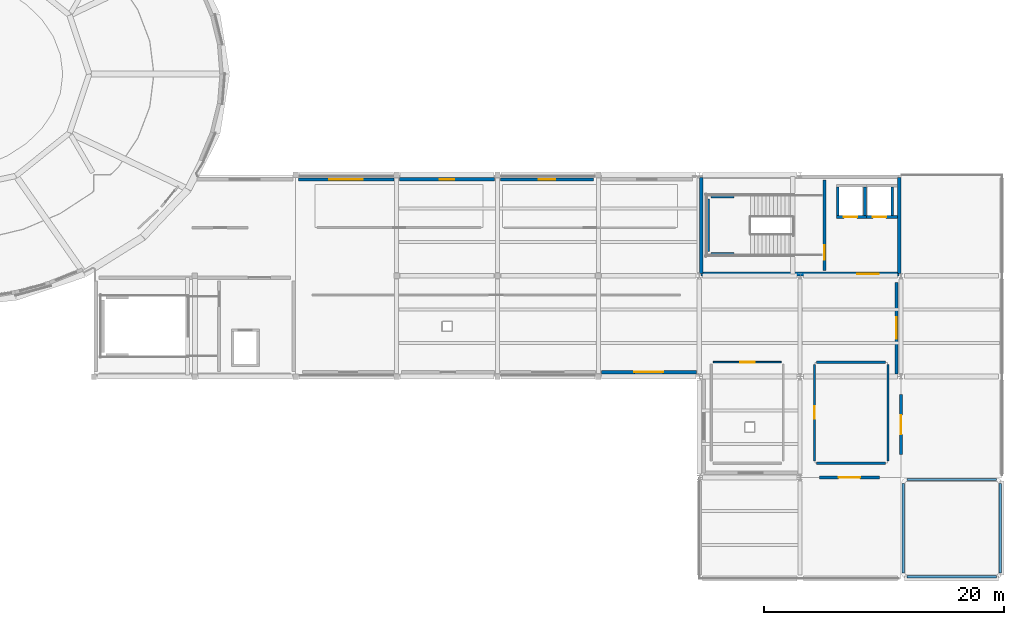
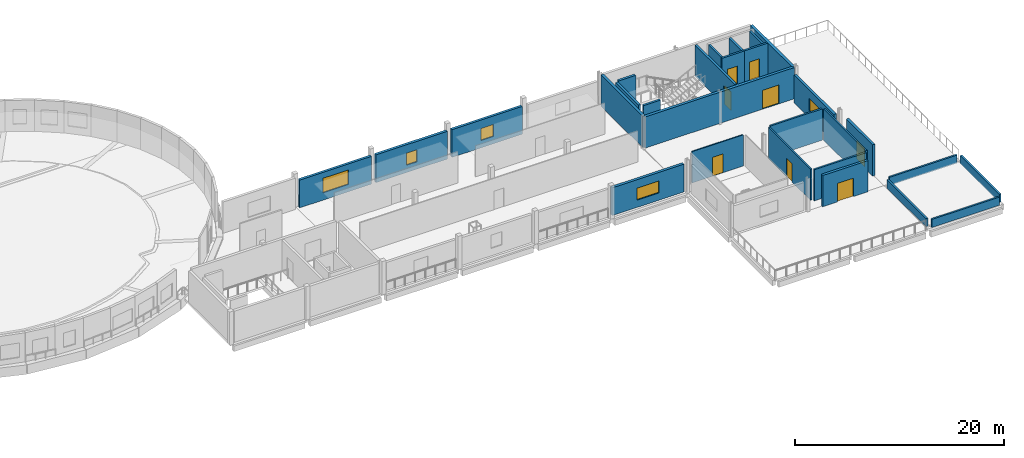
# One storey, part 10 of 16: 28 walls, 8 doors, 5 windows, 13 openings.
"""IFC4 building model written with IfcOpenShell, lengths in metres."""

from ifc_helpers import new_model, si_unit, derived_unit, direction, frame, frame_2d, origin, place, context, subcontext, project, spatial, rectangle, extrude, material, layer, layer_set, type_object, element, fill, save


model = new_model("IFC4")

# Units and contexts
model_context = context("Model", 3, precision=1e-05, world=origin(), true_north=direction((0.0, 1.0)))
body_context = subcontext(model_context, "Body", "Model", "MODEL_VIEW")
ifc_project = project(units=[si_unit("LENGTHUNIT", "METRE"), si_unit("AREAUNIT", "SQUARE_METRE"), si_unit("VOLUMEUNIT", "CUBIC_METRE"), si_unit("PLANEANGLEUNIT", "RADIAN"), si_unit("MASSUNIT", "GRAM", prefix="KILO"), derived_unit("THERMALTRANSMITTANCEUNIT", [(si_unit("POWERUNIT", "WATT"), 1), (si_unit("LENGTHUNIT", "METRE"), -2), (si_unit("THERMODYNAMICTEMPERATUREUNIT", "KELVIN"), -1)])], contexts=[model_context])

# Site, building, storey
site_placement = place(None, origin())
site = spatial("IfcSite", under=ifc_project, at=site_placement, CompositionType="ELEMENT")
building_placement = place(site_placement, origin())
building = spatial("IfcBuilding", under=site, at=building_placement, Name="Elbkamm Science Centre", CompositionType="ELEMENT")
storey_placement = place(building_placement, frame((0.0, 0.0, 21.60009765625)))
storey = spatial("IfcBuildingStorey", under=building, at=storey_placement, Name="L05", CompositionType="ELEMENT", Elevation=21.60009765625)

# Walls
ifc_material_1 = material(Name="Reinforced concrete C40/50", Category="concrete")
ifc_layer_1 = layer(ifc_material_1, 0.25)
ifc_layer_set_1 = layer_set([ifc_layer_1], Name="Reinforced concrete C40/50")
wall_type_1 = type_object("IfcWallType", Name="WL-CORE-250", PredefinedType="SHEAR", material=ifc_layer_set_1)
wall_1_placement = place(storey_placement, frame((126.739990234375, 52.419921875, 0.0), z_axis=(0.0, 0.0, 1.0), x_axis=(0.0, 1.0, 0.0)))
element("IfcWall", 1, at=wall_1_placement, inside=storey, type_object=wall_type_1, Name="L05 ST-C3 Shaft Bearing Wall W", PredefinedType="SHEAR", context=body_context, shape_type="SweptSolid", body=[
    extrude(rectangle(XDim=4.360107421875, YDim=0.25, at=frame_2d((2.18017578125, 0.0))), origin(), (0.0, 0.0, 1.0), 3.639892578125),
])
for number, where, z_axis, x_axis, name in (
    (2, (126.989990234375, 52.219970703125, 0.0), (0.0, 0.0, 1.0), (1.0, 0.0, 0.0), "L05 ST-C3 Shaft Bearing Wall S"),
    (3, (126.989990234375, 56.97998046875, 0.0), (0.0, 0.0, 1.0), (1.0, 0.0, 0.0), "L05 ST-C3 Shaft Bearing Wall N"),
):
    element("IfcWall", number, at=place(storey_placement, frame(where, z_axis=z_axis, x_axis=x_axis)), inside=storey, type_object=wall_type_1, Name=name, PredefinedType="SHEAR", context=body_context, shape_type="SweptSolid", body=[
        extrude(rectangle(XDim=1.889892578125, YDim=0.25, at=frame_2d((0.94482421875, 0.0))), origin(), (0.0, 0.0, 1.0), 3.639892578125),
    ])

# Wall, opening, door
wall_2_placement = place(storey_placement, frame((136.419921875, 50.820068359375, 0.0), z_axis=(0.0, 0.0, 1.0), x_axis=(0.0, 1.0, 0.0)))
wall_2 = element("IfcWall", 4, at=wall_2_placement, inside=storey, type_object=wall_type_1, Name="L05 C3 Stairwell Compartment Wall", PredefinedType="SHEAR", context=body_context, shape_type="SweptSolid", body=[
    extrude(rectangle(XDim=7.559814453125, YDim=0.25, at=frame_2d((3.77978515625, 0.0))), origin(), (0.0, 0.0, 1.0), 3.639892578125),
])
opening_1_placement = place(wall_2_placement, frame((0.89990234375, 0.0, 0.0)))
opening_1 = element("IfcOpeningElement", 5, at=opening_1_placement, cuts=wall_2, Name="Opening DC-02", PredefinedType="OPENING", context=body_context, shape_type="SweptSolid", body=[
    extrude(rectangle(XDim=1.199951171875, YDim=2.199951171875, at=frame_2d((0.60009765625, 1.10009765625))), frame((0.0, 0.136962890625, 0.0), z_axis=(0.0, -1.0, 0.0), x_axis=(1.0, 0.0, 0.0)), (0.0, 0.0, 1.0), 0.27392578125),
])
ifc_material_2 = material(Name="Fire-rated steel acoustic door", Category="steel")
ifc_layer_2 = layer(ifc_material_2, 0.050048828125)
ifc_layer_set_2 = layer_set([ifc_layer_2], Name="Fire-rated steel acoustic door")
door_type_1 = type_object("IfcDoorType", Name="DR-CORE-1200x2200", OperationType="NOTDEFINED", PredefinedType="DOOR", material=ifc_layer_set_2)
door_1_placement = place(opening_1_placement, origin())
door_1 = element("IfcDoor", 6, at=door_1_placement, inside=storey, type_object=door_type_1, Name="L05 ST-C3 Stairwell Fire Door", OperationType="SINGLE_SWING_LEFT", OverallHeight=2.199951171875, OverallWidth=1.199951171875, PredefinedType="DOOR", context=body_context, shape_type="SweptSolid", body=[
    extrude(rectangle(XDim=1.199951171875, YDim=2.199951171875, at=frame_2d((0.60009765625, 1.10009765625))), frame((0.0, 0.02490234375, 0.0), z_axis=(0.0, -1.0, 0.0), x_axis=(1.0, 0.0, 0.0)), (0.0, 0.0, 1.0), 0.050048828125),
])
fill(opening_1, door_1)

ifc_layer_3 = layer(ifc_material_1, 0.300048828125)
ifc_layer_set_3 = layer_set([ifc_layer_3], Name="Reinforced concrete C40/50")
wall_type_2 = type_object("IfcWallType", Name="WL-CORE-300", PredefinedType="SHEAR", material=ifc_layer_set_3)
wall_3_placement = place(storey_placement, frame((126.1650390625, 50.550048828125, 0.0), z_axis=(0.0, 0.0, 1.0), x_axis=(1.0, 0.0, 0.0)))
wall_3 = element("IfcWall", 7, at=wall_3_placement, inside=storey, type_object=wall_type_2, Name="L05 Core C3 Northeast Laboratories and Observatory Core Shear Wall S", PredefinedType="SHEAR", context=body_context, shape_type="SweptSolid", body=[
    extrude(rectangle(XDim=16.474853515625, YDim=0.300048828125, at=frame_2d((8.2373046875, 0.0))), origin(), (0.0, 0.0, 1.0), 3.639892578125),
])
opening_2_placement = place(wall_3_placement, frame((12.97509765625, 0.0, 0.0)))
opening_2 = element("IfcOpeningElement", 8, at=opening_2_placement, cuts=wall_3, Name="Opening DC-01", PredefinedType="OPENING", context=body_context, shape_type="SweptSolid", body=[
    extrude(rectangle(XDim=1.800048828125, YDim=2.199951171875, at=frame_2d((0.89990234375, 1.10009765625))), frame((0.0, 0.162109375, 0.0), z_axis=(0.0, -1.0, 0.0), x_axis=(1.0, 0.0, 0.0)), (0.0, 0.0, 1.0), 0.323974609375),
])
ifc_layer_4 = layer(ifc_material_2, 0.050048828125)
ifc_layer_set_4 = layer_set([ifc_layer_4], Name="Fire-rated steel acoustic door")
door_type_2 = type_object("IfcDoorType", Name="DR-CORE-1800x2200", OperationType="DOUBLE_DOOR_SINGLE_SWING", PredefinedType="DOOR", material=ifc_layer_set_4)
door_2_placement = place(opening_2_placement, origin())
door_2 = element("IfcDoor", 9, at=door_2_placement, inside=storey, type_object=door_type_2, Name="L05 C3 Core Lobby Fire Door", OperationType="DOUBLE_DOOR_SINGLE_SWING", OverallHeight=2.199951171875, OverallWidth=1.800048828125, PredefinedType="DOOR", context=body_context, shape_type="SweptSolid", body=[
    extrude(rectangle(XDim=1.800048828125, YDim=2.199951171875, at=frame_2d((0.89990234375, 1.10009765625))), frame((0.0, 0.02490234375, 0.0), z_axis=(0.0, -1.0, 0.0), x_axis=(1.0, 0.0, 0.0)), (0.0, 0.0, 1.0), 0.050048828125),
])
fill(opening_2, door_2)

# Walls
for number, where, z_axis, x_axis, name in (
    (10, (126.179931640625, 50.60009765625, 0.0), (0.0, 0.0, 1.0), (0.0, 1.0, 0.0), "L05 Core C3 Northeast Laboratories and Observatory Core Shear Wall W"),
    (11, (142.64990234375, 50.60009765625, 0.0), (0.0, 0.0, 1.0), (0.0, 1.0, 0.0), "L05 Core C3 Northeast Laboratories and Observatory Core Shear Wall E"),
):
    element("IfcWall", number, at=place(storey_placement, frame(where, z_axis=z_axis, x_axis=x_axis)), inside=storey, type_object=wall_type_2, Name=name, PredefinedType="SHEAR", context=body_context, shape_type="SweptSolid", body=[
        extrude(rectangle(XDim=8.0, YDim=0.300048828125, at=frame_2d((4.0, 0.0))), origin(), (0.0, 0.0, 1.0), 3.639892578125),
    ])

# Wall, opening, door
ifc_material_3 = material(Name="White precast concrete C40/50", Category="concrete")
ifc_layer_5 = layer(ifc_material_3, 0.27001953125)
ifc_layer_set_5 = layer_set([ifc_layer_5], Name="White precast concrete C40/50")
wall_type_3 = type_object("IfcWallType", Name="WL-EXT-270", PredefinedType="SOLIDWALL", material=ifc_layer_set_5)
wall_4_placement = place(storey_placement, frame((136.0, 33.60009765625, 0.0), z_axis=(0.0, 0.0, 1.0), x_axis=(1.0, 0.0, 0.0)))
wall_4 = element("IfcWall", 12, at=wall_4_placement, inside=storey, type_object=wall_type_3, Name="South Rooftop Observatory Terrace Portal Wall", PredefinedType="SOLIDWALL", context=body_context, shape_type="SweptSolid", body=[
    extrude(rectangle(XDim=5.0, YDim=0.27001953125, at=frame_2d((2.5, 0.0))), origin(), (0.0, 0.0, 1.0), 3.639892578125),
])
opening_3_placement = place(wall_4_placement, frame((1.60009765625, 0.0, 0.0)))
opening_3 = element("IfcOpeningElement", 13, at=opening_3_placement, cuts=wall_4, Name="Opening TD-01", PredefinedType="OPENING", context=body_context, shape_type="SweptSolid", body=[
    extrude(rectangle(XDim=1.800048828125, YDim=2.14990234375, at=frame_2d((0.89990234375, 1.074951171875))), frame((0.0, 0.14697265625, 0.0), z_axis=(0.0, -1.0, 0.0), x_axis=(1.0, 0.0, 0.0)), (0.0, 0.0, 1.0), 0.2939453125),
])
ifc_material_4 = material(Name="Powder-coated aluminium and laminated glass", Category="aluminium")
ifc_layer_6 = layer(ifc_material_4, 0.050048828125)
ifc_layer_set_6 = layer_set([ifc_layer_6], Name="Powder-coated aluminium and laminated glass")
door_type_3 = type_object("IfcDoorType", Name="DR-TER-1800x2150", OperationType="DOUBLE_DOOR_SINGLE_SWING", PredefinedType="DOOR", material=ifc_layer_set_6)
door_3_placement = place(opening_3_placement, frame((1.800048828125, 0.0, 0.0), z_axis=(0.0, 0.0, 1.0), x_axis=(-1.0, 0.0, 0.0)))
door_3 = element("IfcDoor", 14, at=door_3_placement, inside=storey, type_object=door_type_3, Name="South Rooftop Observatory Terrace Access Door", OperationType="DOUBLE_DOOR_SINGLE_SWING", OverallHeight=2.14990234375, OverallWidth=1.800048828125, PredefinedType="DOOR", context=body_context, shape_type="SweptSolid", body=[
    extrude(rectangle(XDim=1.800048828125, YDim=2.14990234375, at=frame_2d((0.89990234375, 1.074951171875))), frame((0.0, 0.02490234375, 0.0), z_axis=(0.0, -1.0, 0.0), x_axis=(1.0, 0.0, 0.0)), (0.0, 0.0, 1.0), 0.050048828125),
])
fill(opening_3, door_3)

wall_5_placement = place(storey_placement, frame((142.800048828125, 35.5, 0.0), z_axis=(0.0, 0.0, 1.0), x_axis=(0.0, 1.0, 0.0)))
wall_5 = element("IfcWall", 15, at=wall_5_placement, inside=storey, type_object=wall_type_3, Name="East Elbe Panorama Observatory Terrace Portal Wall", PredefinedType="SOLIDWALL", context=body_context, shape_type="SweptSolid", body=[
    extrude(rectangle(XDim=5.0, YDim=0.27001953125, at=frame_2d((2.5, 0.0))), origin(), (0.0, 0.0, 1.0), 3.639892578125),
])
opening_4_placement = place(wall_5_placement, frame((1.699951171875, 0.0, 0.0)))
opening_4 = element("IfcOpeningElement", 16, at=opening_4_placement, cuts=wall_5, Name="Opening TD-02", PredefinedType="OPENING", context=body_context, shape_type="SweptSolid", body=[
    extrude(rectangle(XDim=1.60009765625, YDim=2.14990234375, at=frame_2d((0.800048828125, 1.074951171875))), frame((0.0, 0.14697265625, 0.0), z_axis=(0.0, -1.0, 0.0), x_axis=(1.0, 0.0, 0.0)), (0.0, 0.0, 1.0), 0.2939453125),
])
ifc_layer_7 = layer(ifc_material_4, 0.050048828125)
ifc_layer_set_7 = layer_set([ifc_layer_7], Name="Powder-coated aluminium and laminated glass")
door_type_4 = type_object("IfcDoorType", Name="DR-TER-1600x2150", OperationType="DOUBLE_DOOR_SINGLE_SWING", PredefinedType="DOOR", material=ifc_layer_set_7)
door_4_placement = place(opening_4_placement, frame((1.60009765625, 0.0, 0.0), z_axis=(0.0, 0.0, 1.0), x_axis=(-1.0, 0.0, 0.0)))
door_4 = element("IfcDoor", 17, at=door_4_placement, inside=storey, type_object=door_type_4, Name="East Elbe Panorama Observatory Terrace Access Door", OperationType="DOUBLE_DOOR_SINGLE_SWING", OverallHeight=2.14990234375, OverallWidth=1.60009765625, PredefinedType="DOOR", context=body_context, shape_type="SweptSolid", body=[
    extrude(rectangle(XDim=1.60009765625, YDim=2.14990234375, at=frame_2d((0.800048828125, 1.074951171875))), frame((0.0, 0.02490234375, 0.0), z_axis=(0.0, -1.0, 0.0), x_axis=(1.0, 0.0, 0.0)), (0.0, 0.0, 1.0), 0.050048828125),
])
fill(opening_4, door_4)

# Wall, opening, window
wall_6_placement = place(storey_placement, frame((92.63916015625, 58.419921875, 0.0), z_axis=(0.0, 0.0, 1.0), x_axis=(1.0, 0.0, 0.0)))
wall_6 = element("IfcWall", 18, at=wall_6_placement, inside=storey, type_object=wall_type_3, Name="L05 Exterior Wall 0335", PredefinedType="SOLIDWALL", context=body_context, shape_type="SweptSolid", body=[
    extrude(rectangle(XDim=7.921630859375, YDim=0.27001953125, at=frame_2d((3.9609375, 0.0))), origin(), (0.0, 0.0, 1.0), 3.239990234375),
])
opening_5_placement = place(wall_6_placement, frame((2.560791015625, 0.0, 0.85009765625)))
opening_5 = element("IfcOpeningElement", 19, at=opening_5_placement, cuts=wall_6, Name="Opening W-20", PredefinedType="OPENING", context=body_context, shape_type="SweptSolid", body=[
    extrude(rectangle(XDim=2.800048828125, YDim=1.699951171875, at=frame_2d((1.39990234375, 0.85009765625))), frame((0.0, 0.14697265625, 0.0), z_axis=(0.0, -1.0, 0.0), x_axis=(1.0, 0.0, 0.0)), (0.0, 0.0, 1.0), 0.2939453125),
])
ifc_material_5 = material(Name="Thermally broken aluminium and triple solar glass", Category="aluminium")
ifc_layer_8 = layer(ifc_material_5, 0.06005859375)
ifc_layer_set_8 = layer_set([ifc_layer_8], Name="Thermally broken aluminium and triple solar glass")
window_type_1 = type_object("IfcWindowType", Name="WIN-2800x1700", PartitioningType="DOUBLE_PANEL_VERTICAL", PredefinedType="WINDOW", material=ifc_layer_set_8)
window_1_placement = place(opening_5_placement, origin())
window_1 = element("IfcWindow", 20, at=window_1_placement, inside=storey, type_object=window_type_1, Name="L05 Facade Window 0099", OverallHeight=1.699951171875, OverallWidth=2.800048828125, PartitioningType="SINGLE_PANEL", PredefinedType="WINDOW", context=body_context, shape_type="SweptSolid", body=[
    extrude(rectangle(XDim=2.800048828125, YDim=1.699951171875, at=frame_2d((1.39990234375, 0.85009765625))), frame((0.0, 0.030029296875, 0.0), z_axis=(0.0, -1.0, 0.0), x_axis=(1.0, 0.0, 0.0)), (0.0, 0.0, 1.0), 0.06005859375),
])
fill(opening_5, window_1)

wall_7_placement = place(storey_placement, frame((109.439208984375, 58.419921875, 0.0), z_axis=(0.0, 0.0, 1.0), x_axis=(1.0, 0.0, 0.0)))
wall_7 = element("IfcWall", 21, at=wall_7_placement, inside=storey, type_object=wall_type_3, Name="L05 Exterior Wall 0337", PredefinedType="SOLIDWALL", context=body_context, shape_type="SweptSolid", body=[
    extrude(rectangle(XDim=7.75390625, YDim=0.27001953125, at=frame_2d((3.876953125, 0.0))), origin(), (0.0, 0.0, 1.0), 3.239990234375),
])
opening_6_placement = place(wall_7_placement, frame((3.177001953125, 0.0, 0.85009765625)))
opening_6 = element("IfcOpeningElement", 22, at=opening_6_placement, cuts=wall_7, Name="Opening W-02", PredefinedType="OPENING", context=body_context, shape_type="SweptSolid", body=[
    extrude(rectangle(XDim=1.39990234375, YDim=1.39990234375, at=frame_2d((0.699951171875, 0.699951171875))), frame((0.0, 0.14697265625, 0.0), z_axis=(0.0, -1.0, 0.0), x_axis=(1.0, 0.0, 0.0)), (0.0, 0.0, 1.0), 0.2939453125),
])
ifc_layer_9 = layer(ifc_material_5, 0.06005859375)
ifc_layer_set_9 = layer_set([ifc_layer_9], Name="Thermally broken aluminium and triple solar glass")
window_type_2 = type_object("IfcWindowType", Name="WIN-1400x1400", PartitioningType="SINGLE_PANEL", PredefinedType="WINDOW", material=ifc_layer_set_9)
window_2_placement = place(opening_6_placement, origin())
window_2 = element("IfcWindow", 23, at=window_2_placement, inside=storey, type_object=window_type_2, Name="L05 Facade Window 0101", OverallHeight=1.39990234375, OverallWidth=1.39990234375, PartitioningType="SINGLE_PANEL", PredefinedType="WINDOW", context=body_context, shape_type="SweptSolid", body=[
    extrude(rectangle(XDim=1.39990234375, YDim=1.39990234375, at=frame_2d((0.699951171875, 0.699951171875))), frame((0.0, 0.030029296875, 0.0), z_axis=(0.0, -1.0, 0.0), x_axis=(1.0, 0.0, 0.0)), (0.0, 0.0, 1.0), 0.06005859375),
])
fill(opening_6, window_2)

wall_8_placement = place(storey_placement, frame((142.419921875, 49.85009765625, 0.0), z_axis=(0.0, 0.0, 1.0), x_axis=(0.0, -1.0, 0.0)))
wall_8 = element("IfcWall", 24, at=wall_8_placement, inside=storey, type_object=wall_type_3, Name="L05 Exterior Wall 0339", PredefinedType="SOLIDWALL", context=body_context, shape_type="SweptSolid", body=[
    extrude(rectangle(XDim=7.611083984375, YDim=0.27001953125, at=frame_2d((3.8056640625, 0.0))), origin(), (0.0, 0.0, 1.0), 3.239990234375),
])
opening_7_placement = place(wall_8_placement, frame((2.905517578125, 0.0, 0.85009765625)))
opening_7 = element("IfcOpeningElement", 25, at=opening_7_placement, cuts=wall_8, Name="Opening W-04", PredefinedType="OPENING", context=body_context, shape_type="SweptSolid", body=[
    extrude(rectangle(XDim=1.800048828125, YDim=1.39990234375, at=frame_2d((0.89990234375, 0.699951171875))), frame((0.0, 0.14697265625, 0.0), z_axis=(0.0, -1.0, 0.0), x_axis=(1.0, 0.0, 0.0)), (0.0, 0.0, 1.0), 0.2939453125),
])
ifc_layer_10 = layer(ifc_material_5, 0.06005859375)
ifc_layer_set_10 = layer_set([ifc_layer_10], Name="Thermally broken aluminium and triple solar glass")
window_type_3 = type_object("IfcWindowType", Name="WIN-1800x1400", PartitioningType="DOUBLE_PANEL_VERTICAL", PredefinedType="WINDOW", material=ifc_layer_set_10)
window_3_placement = place(opening_7_placement, origin())
window_3 = element("IfcWindow", 26, at=window_3_placement, inside=storey, type_object=window_type_3, Name="L05 Facade Window 0103", OverallHeight=1.39990234375, OverallWidth=1.800048828125, PartitioningType="SINGLE_PANEL", PredefinedType="WINDOW", context=body_context, shape_type="SweptSolid", body=[
    extrude(rectangle(XDim=1.800048828125, YDim=1.39990234375, at=frame_2d((0.89990234375, 0.699951171875))), frame((0.0, 0.030029296875, 0.0), z_axis=(0.0, -1.0, 0.0), x_axis=(1.0, 0.0, 0.0)), (0.0, 0.0, 1.0), 0.06005859375),
])
fill(opening_7, window_3)

ifc_layer_11 = layer(ifc_material_3, 0.2900390625)
ifc_layer_set_11 = layer_set([ifc_layer_11], Name="White precast concrete C40/50")
wall_type_4 = type_object("IfcWallType", Name="WL-EXT-290", PredefinedType="SOLIDWALL", material=ifc_layer_set_11)
wall_9_placement = place(storey_placement, frame((101.0390625, 58.419921875, 0.0), z_axis=(0.0, 0.0, 1.0), x_axis=(1.0, 0.0, 0.0)))
wall_9 = element("IfcWall", 27, at=wall_9_placement, inside=storey, type_object=wall_type_4, Name="L05 Exterior Wall 0336", PredefinedType="SOLIDWALL", context=body_context, shape_type="SweptSolid", body=[
    extrude(rectangle(XDim=7.897216796875, YDim=0.2900390625, at=frame_2d((3.94873046875, 0.0))), origin(), (0.0, 0.0, 1.0), 3.239990234375),
])
opening_8_placement = place(wall_9_placement, frame((3.348388671875, 0.0, 0.85009765625)))
opening_8 = element("IfcOpeningElement", 28, at=opening_8_placement, cuts=wall_9, Name="Opening W-01", PredefinedType="OPENING", context=body_context, shape_type="SweptSolid", body=[
    extrude(rectangle(XDim=1.199951171875, YDim=1.39990234375, at=frame_2d((0.60009765625, 0.699951171875))), frame((0.0, 0.156982421875, 0.0), z_axis=(0.0, -1.0, 0.0), x_axis=(1.0, 0.0, 0.0)), (0.0, 0.0, 1.0), 0.31396484375),
])
ifc_layer_12 = layer(ifc_material_5, 0.06005859375)
ifc_layer_set_12 = layer_set([ifc_layer_12], Name="Thermally broken aluminium and triple solar glass")
window_type_4 = type_object("IfcWindowType", Name="WIN-1200x1400", PartitioningType="SINGLE_PANEL", PredefinedType="WINDOW", material=ifc_layer_set_12)
window_4_placement = place(opening_8_placement, origin())
window_4 = element("IfcWindow", 29, at=window_4_placement, inside=storey, type_object=window_type_4, Name="L05 Facade Window 0100", OverallHeight=1.39990234375, OverallWidth=1.199951171875, PartitioningType="SINGLE_PANEL", PredefinedType="WINDOW", context=body_context, shape_type="SweptSolid", body=[
    extrude(rectangle(XDim=1.199951171875, YDim=1.39990234375, at=frame_2d((0.60009765625, 0.699951171875))), frame((0.0, 0.030029296875, 0.0), z_axis=(0.0, -1.0, 0.0), x_axis=(1.0, 0.0, 0.0)), (0.0, 0.0, 1.0), 0.06005859375),
])
fill(opening_8, window_4)

wall_10_placement = place(storey_placement, frame((125.760986328125, 42.3798828125, 0.0), z_axis=(0.0, 0.0, 1.0), x_axis=(-1.0, 0.0, 0.0)))
wall_10 = element("IfcWall", 30, at=wall_10_placement, inside=storey, type_object=wall_type_4, Name="L05 Exterior Wall 0342", PredefinedType="SOLIDWALL", context=body_context, shape_type="SweptSolid", body=[
    extrude(rectangle(XDim=7.921875, YDim=0.2900390625, at=frame_2d((3.9609375, 0.0))), origin(), (0.0, 0.0, 1.0), 3.239990234375),
])
opening_9_placement = place(wall_10_placement, frame((2.760986328125, 0.0, 0.85009765625)))
opening_9 = element("IfcOpeningElement", 31, at=opening_9_placement, cuts=wall_10, Name="Opening W-07", PredefinedType="OPENING", context=body_context, shape_type="SweptSolid", body=[
    extrude(rectangle(XDim=2.39990234375, YDim=1.39990234375, at=frame_2d((1.199951171875, 0.699951171875))), frame((0.0, 0.156982421875, 0.0), z_axis=(0.0, -1.0, 0.0), x_axis=(1.0, 0.0, 0.0)), (0.0, 0.0, 1.0), 0.31396484375),
])
ifc_layer_13 = layer(ifc_material_5, 0.06005859375)
ifc_layer_set_13 = layer_set([ifc_layer_13], Name="Thermally broken aluminium and triple solar glass")
window_type_5 = type_object("IfcWindowType", Name="WIN-2400x1400", PartitioningType="DOUBLE_PANEL_VERTICAL", PredefinedType="WINDOW", material=ifc_layer_set_13)
window_5_placement = place(opening_9_placement, origin())
window_5 = element("IfcWindow", 32, at=window_5_placement, inside=storey, type_object=window_type_5, Name="L05 Facade Window 0106", OverallHeight=1.39990234375, OverallWidth=2.39990234375, PartitioningType="SINGLE_PANEL", PredefinedType="WINDOW", context=body_context, shape_type="SweptSolid", body=[
    extrude(rectangle(XDim=2.39990234375, YDim=1.39990234375, at=frame_2d((1.199951171875, 0.699951171875))), frame((0.0, 0.030029296875, 0.0), z_axis=(0.0, -1.0, 0.0), x_axis=(1.0, 0.0, 0.0)), (0.0, 0.0, 1.0), 0.06005859375),
])
fill(opening_9, window_5)

# Wall
ifc_material_6 = material(Name="Fire-rated gypsum stud partition", Category="gypsum")
ifc_layer_14 = layer(ifc_material_6, 0.175048828125)
ifc_layer_set_14 = layer_set([ifc_layer_14], Name="Fire-rated gypsum stud partition")
wall_type_5 = type_object("IfcWallType", Name="WL-FIRE-175", PredefinedType="PARTITIONING", material=ifc_layer_set_14)
wall_11_placement = place(storey_placement, frame((141.699951171875, 43.02001953125, 0.0), z_axis=(0.0, 0.0, 1.0), x_axis=(0.0, -1.0, 0.0)))
element("IfcWall", 33, at=wall_11_placement, inside=storey, type_object=wall_type_5, Name="L05 Solar Spectroscopy Laboratory Partition 0267", PredefinedType="PARTITIONING", context=body_context, shape_type="SweptSolid", body=[
    extrude(rectangle(XDim=8.0400390625, YDim=0.175048828125, at=frame_2d((4.02001953125, 0.0))), origin(), (0.0, 0.0, 1.0), 3.639892578125),
])

# Wall, opening, door
wall_12_placement = place(storey_placement, frame((135.60009765625, 34.97998046875, 0.0), z_axis=(0.0, 0.0, 1.0), x_axis=(0.0, 1.0, 0.0)))
wall_12 = element("IfcWall", 34, at=wall_12_placement, inside=storey, type_object=wall_type_5, Name="L05 Solar Spectroscopy Laboratory Partition 0269", PredefinedType="PARTITIONING", context=body_context, shape_type="SweptSolid", body=[
    extrude(rectangle(XDim=8.0400390625, YDim=0.175048828125, at=frame_2d((4.02001953125, 0.0))), origin(), (0.0, 0.0, 1.0), 3.639892578125),
])
opening_10_placement = place(wall_12_placement, frame((3.4951171875, 0.0, 0.0)))
opening_10 = element("IfcOpeningElement", 35, at=opening_10_placement, cuts=wall_12, Name="Opening DF-02", PredefinedType="OPENING", context=body_context, shape_type="SweptSolid", body=[
    extrude(rectangle(XDim=1.050048828125, YDim=2.14990234375, at=frame_2d((0.52490234375, 1.074951171875))), frame((0.0, 0.099609375, 0.0), z_axis=(0.0, -1.0, 0.0), x_axis=(1.0, 0.0, 0.0)), (0.0, 0.0, 1.0), 0.198974609375),
])
ifc_material_7 = material(Name="Fire-rated timber acoustic door", Category="wood")
ifc_layer_15 = layer(ifc_material_7, 0.050048828125)
ifc_layer_set_15 = layer_set([ifc_layer_15], Name="Fire-rated timber acoustic door")
door_type_5 = type_object("IfcDoorType", Name="DR-FIRE-1050x2150", OperationType="NOTDEFINED", PredefinedType="DOOR", material=ifc_layer_set_15)
door_5_placement = place(opening_10_placement, origin())
door_5 = element("IfcDoor", 36, at=door_5_placement, inside=storey, type_object=door_type_5, Name="L05 Solar Spectroscopy Laboratory Door", OperationType="SINGLE_SWING_RIGHT", OverallHeight=2.14990234375, OverallWidth=1.050048828125, PredefinedType="DOOR", context=body_context, shape_type="SweptSolid", body=[
    extrude(rectangle(XDim=1.050048828125, YDim=2.14990234375, at=frame_2d((0.52490234375, 1.074951171875))), frame((0.0, 0.02490234375, 0.0), z_axis=(0.0, -1.0, 0.0), x_axis=(1.0, 0.0, 0.0)), (0.0, 0.0, 1.0), 0.050048828125),
])
fill(opening_10, door_5)

# Walls
ifc_material_8 = material(Name="Fire-rated acoustic blockwork", Category="masonry")
ifc_layer_16 = layer(ifc_material_8, 0.199951171875)
ifc_layer_set_16 = layer_set([ifc_layer_16], Name="Fire-rated acoustic blockwork")
wall_type_6 = type_object("IfcWallType", Name="WL-FIRE-200", PredefinedType="PARTITIONING", material=ifc_layer_set_16)
for number, where, z_axis, x_axis, name in (
    (37, (135.780029296875, 43.199951171875, 0.0), (0.0, 0.0, 1.0), (1.0, 0.0, 0.0), "L05 Solar Spectroscopy Laboratory Partition 0266"),
    (38, (141.52001953125, 34.800048828125, 0.0), (0.0, 0.0, 1.0), (-1.0, 0.0, 0.0), "L05 Solar Spectroscopy Laboratory Partition 0268"),
):
    element("IfcWall", number, at=place(storey_placement, frame(where, z_axis=z_axis, x_axis=x_axis)), inside=storey, type_object=wall_type_6, Name=name, PredefinedType="PARTITIONING", context=body_context, shape_type="SweptSolid", body=[
        extrude(rectangle(XDim=5.739990234375, YDim=0.199951171875, at=frame_2d((2.8701171875, 0.0))), origin(), (0.0, 0.0, 1.0), 3.639892578125),
    ])
ifc_layer_17 = layer(ifc_material_3, 0.18994140625)
ifc_layer_set_17 = layer_set([ifc_layer_17], Name="White precast concrete C40/50")
wall_type_7 = type_object("IfcWallType", Name="WL-PAR-190", PredefinedType="PARAPET", material=ifc_layer_set_17)
for number, where, z_axis, x_axis, name in (
    (39, (143.283447265625, 33.429931640625, 0.0), (0.0, 0.0, 1.0), (1.0, 0.0, 0.0), "L05 Roof Parapet Wall 065"),
    (40, (150.74658203125, 25.340087890625, 0.0), (0.0, 0.0, 1.0), (-1.0, 0.0, 0.0), "L05 Roof Parapet Wall 067"),
):
    element("IfcWall", number, at=place(storey_placement, frame(where, z_axis=z_axis, x_axis=x_axis)), inside=storey, type_object=wall_type_7, Name=name, PredefinedType="PARAPET", context=body_context, shape_type="SweptSolid", body=[
        extrude(rectangle(XDim=7.463134765625, YDim=0.18994140625, at=frame_2d((3.7314453125, 0.0))), origin(), (0.0, 0.0, 1.0), 0.949951171875),
    ])
ifc_layer_18 = layer(ifc_material_3, 0.2099609375)
ifc_layer_set_18 = layer_set([ifc_layer_18], Name="White precast concrete C40/50")
wall_type_8 = type_object("IfcWallType", Name="WL-PAR-210", PredefinedType="PARAPET", material=ifc_layer_set_18)
for number, where, z_axis, x_axis, name in (
    (41, (142.969970703125, 25.653564453125, 0.0), (0.0, 0.0, 1.0), (0.0, 1.0, 0.0), "L05 Roof Parapet Wall 064"),
    (42, (151.06005859375, 33.116455078125, 0.0), (0.0, 0.0, 1.0), (0.0, -1.0, 0.0), "L05 Roof Parapet Wall 066"),
):
    element("IfcWall", number, at=place(storey_placement, frame(where, z_axis=z_axis, x_axis=x_axis)), inside=storey, type_object=wall_type_8, Name=name, PredefinedType="PARAPET", context=body_context, shape_type="SweptSolid", body=[
        extrude(rectangle(XDim=7.462890625, YDim=0.2099609375, at=frame_2d((3.7314453125, 0.0))), origin(), (0.0, 0.0, 1.0), 0.949951171875),
    ])

# Wall, opening, door
ifc_material_9 = material(Name="Lightweight metal-stud gypsum partition", Category="gypsum")
ifc_layer_19 = layer(ifc_material_9, 0.125)
ifc_layer_set_19 = layer_set([ifc_layer_19], Name="Lightweight metal-stud gypsum partition")
wall_type_9 = type_object("IfcWallType", Name="WL-PART-125", PredefinedType="PARTITIONING", material=ifc_layer_set_19)
wall_13_placement = place(storey_placement, frame((127.179931640625, 43.199951171875, 0.0), z_axis=(0.0, 0.0, 1.0), x_axis=(1.0, 0.0, 0.0)))
wall_13 = element("IfcWall", 43, at=wall_13_placement, inside=storey, type_object=wall_type_9, Name="L05 Observatory Telescope Chamber Partition 0262", PredefinedType="PARTITIONING", context=body_context, shape_type="SweptSolid", body=[
    extrude(rectangle(XDim=5.64013671875, YDim=0.125, at=frame_2d((2.820068359375, 0.0))), origin(), (0.0, 0.0, 1.0), 3.639892578125),
])
opening_11_placement = place(wall_13_placement, frame((2.219970703125, 0.0, 0.0)))
opening_11 = element("IfcOpeningElement", 44, at=opening_11_placement, cuts=wall_13, Name="Opening DI-04", PredefinedType="OPENING", context=body_context, shape_type="SweptSolid", body=[
    extrude(rectangle(XDim=1.199951171875, YDim=2.199951171875, at=frame_2d((0.60009765625, 1.10009765625))), frame((0.0, 0.074462890625, 0.0), z_axis=(0.0, -1.0, 0.0), x_axis=(1.0, 0.0, 0.0)), (0.0, 0.0, 1.0), 0.14892578125),
])
ifc_material_10 = material(Name="Acoustic oak veneer door")
ifc_layer_20 = layer(ifc_material_10, 0.050048828125)
ifc_layer_set_20 = layer_set([ifc_layer_20], Name="Acoustic oak veneer door")
door_type_6 = type_object("IfcDoorType", Name="DR-INT-1200x2200", OperationType="NOTDEFINED", PredefinedType="DOOR", material=ifc_layer_set_20)
door_6_placement = place(opening_11_placement, origin())
door_6 = element("IfcDoor", 45, at=door_6_placement, inside=storey, type_object=door_type_6, Name="L05 Observatory Telescope Chamber Door", OperationType="SINGLE_SWING_LEFT", OverallHeight=2.199951171875, OverallWidth=1.199951171875, PredefinedType="DOOR", context=body_context, shape_type="SweptSolid", body=[
    extrude(rectangle(XDim=1.199951171875, YDim=2.199951171875, at=frame_2d((0.60009765625, 1.10009765625))), frame((0.0, 0.02490234375, 0.0), z_axis=(0.0, -1.0, 0.0), x_axis=(1.0, 0.0, 0.0)), (0.0, 0.0, 1.0), 0.050048828125),
])
fill(opening_11, door_6)

# Wall
ifc_layer_21 = layer(ifc_material_1, 0.219970703125)
ifc_layer_set_21 = layer_set([ifc_layer_21], Name="Reinforced concrete C40/50")
wall_type_10 = type_object("IfcWallType", Name="WL-SHAFT-220", PredefinedType="SOLIDWALL", material=ifc_layer_set_21)
wall_14_placement = place(storey_placement, frame((137.5400390625, 55.39990234375, 0.0), z_axis=(0.0, 0.0, 1.0), x_axis=(0.0, 1.0, 0.0)))
element("IfcWall", 46, at=wall_14_placement, inside=storey, type_object=wall_type_10, Name="L05 Lift LP1 Shaft West Wall", PredefinedType="SOLIDWALL", context=body_context, shape_type="SweptSolid", body=[
    extrude(rectangle(XDim=2.400146484375, YDim=0.219970703125, at=frame_2d((1.2001953125, 0.0))), origin(), (0.0, 0.0, 1.0), 3.639892578125),
])

# Wall, opening, door
wall_15_placement = place(storey_placement, frame((137.429931640625, 55.2900390625, 0.0), z_axis=(0.0, 0.0, 1.0), x_axis=(1.0, 0.0, 0.0)))
wall_15 = element("IfcWall", 47, at=wall_15_placement, inside=storey, type_object=wall_type_10, Name="L05 Lift LP1 Shaft Front Wall", PredefinedType="SOLIDWALL", context=body_context, shape_type="SweptSolid", body=[
    extrude(rectangle(XDim=2.47998046875, YDim=0.219970703125, at=frame_2d((1.239990234375, 0.0))), origin(), (0.0, 0.0, 1.0), 3.639892578125),
])
opening_12_placement = place(wall_15_placement, frame((0.6201171875, 0.0, 0.0)))
opening_12 = element("IfcOpeningElement", 48, at=opening_12_placement, cuts=wall_15, Name="Opening LD-01", PredefinedType="OPENING", context=body_context, shape_type="SweptSolid", body=[
    extrude(rectangle(XDim=1.10009765625, YDim=2.14990234375, at=frame_2d((0.550048828125, 1.074951171875))), frame((0.0, 0.1220703125, 0.0), z_axis=(0.0, -1.0, 0.0), x_axis=(1.0, 0.0, 0.0)), (0.0, 0.0, 1.0), 0.243896484375),
])
ifc_material_11 = material(Name="Stainless steel lift landing door", Category="steel")
ifc_layer_22 = layer(ifc_material_11, 0.050048828125)
ifc_layer_set_22 = layer_set([ifc_layer_22], Name="Stainless steel lift landing door")
door_type_7 = type_object("IfcDoorType", Name="DR-LIFT-1100x2150", OperationType="DOUBLE_DOOR_SLIDING", PredefinedType="DOOR", material=ifc_layer_set_22)
door_7_placement = place(opening_12_placement, origin())
door_7 = element("IfcDoor", 49, at=door_7_placement, inside=storey, type_object=door_type_7, Name="L05 Lift LP1 Sliding Landing Door", OperationType="DOUBLE_DOOR_SLIDING", OverallHeight=2.14990234375, OverallWidth=1.10009765625, PredefinedType="DOOR", context=body_context, shape_type="SweptSolid", body=[
    extrude(rectangle(XDim=1.10009765625, YDim=2.14990234375, at=frame_2d((0.550048828125, 1.074951171875))), frame((0.0, 0.02490234375, 0.0), z_axis=(0.0, -1.0, 0.0), x_axis=(1.0, 0.0, 0.0)), (0.0, 0.0, 1.0), 0.050048828125),
])
fill(opening_12, door_7)

# Walls
for number, where, z_axis, x_axis, name in (
    (50, (139.800048828125, 55.39990234375, 0.0), (0.0, 0.0, 1.0), (0.0, 1.0, 0.0), "L05 Lift LP2 Shaft Divider Wall"),
    (51, (142.06005859375, 55.39990234375, 0.0), (0.0, 0.0, 1.0), (0.0, 1.0, 0.0), "L05 Lift LP2 Shaft East Wall"),
):
    element("IfcWall", number, at=place(storey_placement, frame(where, z_axis=z_axis, x_axis=x_axis)), inside=storey, type_object=wall_type_10, Name=name, PredefinedType="SOLIDWALL", context=body_context, shape_type="SweptSolid", body=[
        extrude(rectangle(XDim=2.400146484375, YDim=0.219970703125, at=frame_2d((1.2001953125, 0.0))), origin(), (0.0, 0.0, 1.0), 3.639892578125),
    ])

# Wall, opening, door
wall_16_placement = place(storey_placement, frame((139.68994140625, 55.2900390625, 0.0), z_axis=(0.0, 0.0, 1.0), x_axis=(1.0, 0.0, 0.0)))
wall_16 = element("IfcWall", 52, at=wall_16_placement, inside=storey, type_object=wall_type_10, Name="L05 Lift LP2 Shaft Front Wall", PredefinedType="SOLIDWALL", context=body_context, shape_type="SweptSolid", body=[
    extrude(rectangle(XDim=2.81005859375, YDim=0.219970703125, at=frame_2d((1.405029296875, 0.0))), origin(), (0.0, 0.0, 1.0), 3.639892578125),
])
opening_13_placement = place(wall_16_placement, frame((0.760009765625, 0.0, 0.0)))
opening_13 = element("IfcOpeningElement", 53, at=opening_13_placement, cuts=wall_16, Name="Opening LD-01", PredefinedType="OPENING", context=body_context, shape_type="SweptSolid", body=[
    extrude(rectangle(XDim=1.10009765625, YDim=2.14990234375, at=frame_2d((0.550048828125, 1.074951171875))), frame((0.0, 0.1220703125, 0.0), z_axis=(0.0, -1.0, 0.0), x_axis=(1.0, 0.0, 0.0)), (0.0, 0.0, 1.0), 0.243896484375),
])
door_8_placement = place(opening_13_placement, origin())
door_8 = element("IfcDoor", 54, at=door_8_placement, inside=storey, type_object=door_type_7, Name="L05 Lift LP2 Sliding Landing Door", OperationType="DOUBLE_DOOR_SLIDING", OverallHeight=2.14990234375, OverallWidth=1.10009765625, PredefinedType="DOOR", context=body_context, shape_type="SweptSolid", body=[
    extrude(rectangle(XDim=1.10009765625, YDim=2.14990234375, at=frame_2d((0.550048828125, 1.074951171875))), frame((0.0, 0.02490234375, 0.0), z_axis=(0.0, -1.0, 0.0), x_axis=(1.0, 0.0, 0.0)), (0.0, 0.0, 1.0), 0.050048828125),
])
fill(opening_13, door_8)

save(model, "model.ifc")
